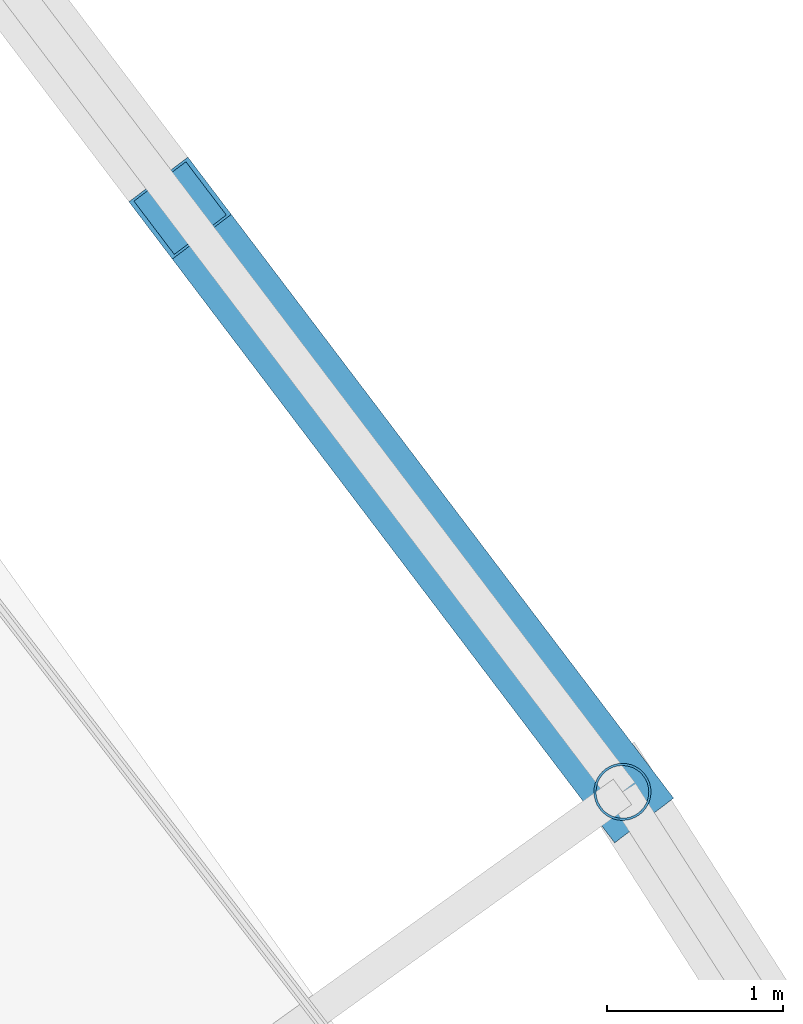
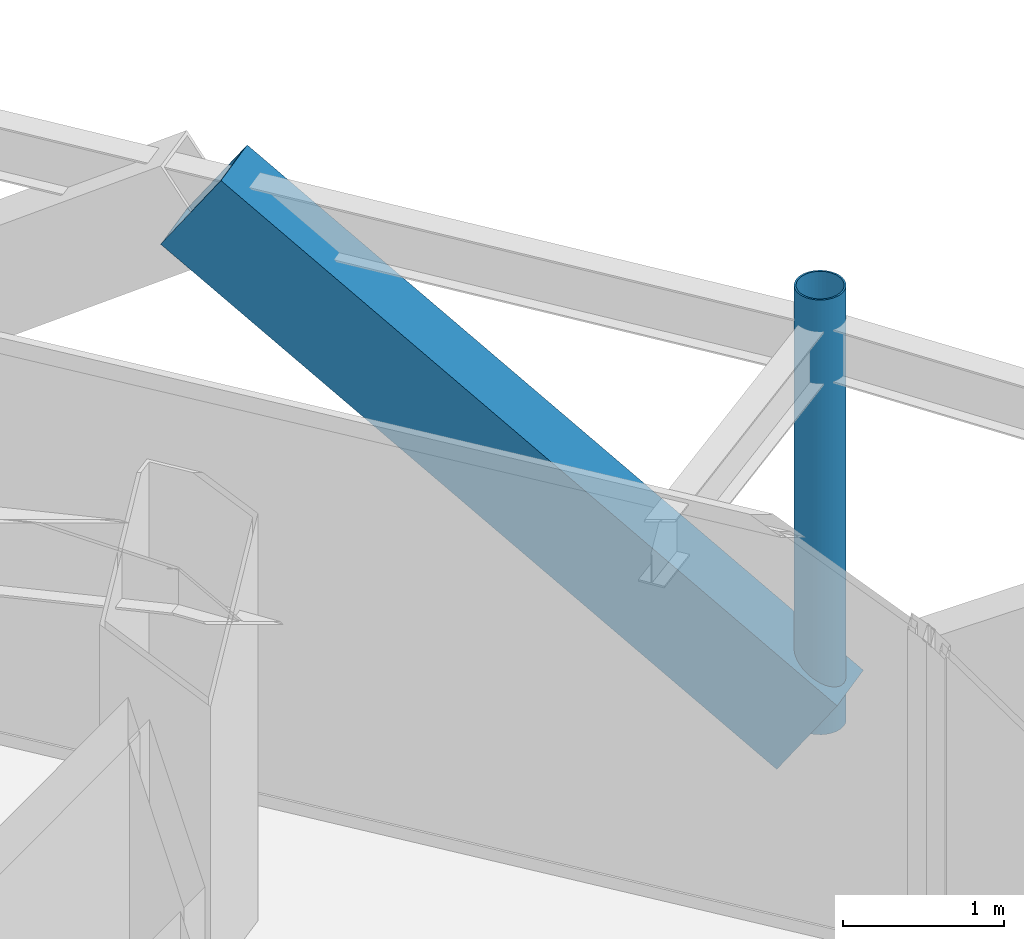
# One storey, part 25 of 30: 2 members.
"""IFC4 building model written with IfcOpenShell, lengths in metres."""

from ifc_helpers import new_model, si_unit, direction, frame, origin, origin_2d, place, context, subcontext, project, spatial, hollow_rectangle, hollow_circle, extrude, material, material_profile, profile_set, type_object, element, save


model = new_model("IFC4")

# Units and contexts
model_context = context("Model", 3, precision=1e-05, world=origin(), true_north=direction((0.0, 1.0)))
body_context = subcontext(model_context, "Body", "Model", "MODEL_VIEW")
ifc_project = project(units=[si_unit("LENGTHUNIT", "METRE"), si_unit("AREAUNIT", "SQUARE_METRE"), si_unit("VOLUMEUNIT", "CUBIC_METRE"), si_unit("PLANEANGLEUNIT", "RADIAN"), si_unit("MASSUNIT", "GRAM", prefix="KILO")], contexts=[model_context])

# Site, building, storey
site_placement = place(None, origin())
site = spatial("IfcSite", under=ifc_project, at=site_placement, CompositionType="ELEMENT")
building_placement = place(site_placement, origin())
building = spatial("IfcBuilding", under=site, at=building_placement, Name="Orvanel Arch Residences", CompositionType="ELEMENT")
storey_placement = place(building_placement, frame((0.0, 0.0, 240.35009765625)))
storey = spatial("IfcBuildingStorey", under=building, at=storey_placement, Name="L68", CompositionType="ELEMENT", Elevation=240.35009765625)

# Members
ifc_material_1 = material(Name="Structural steel AS/NZS 3678 Grade 350", Category="steel")
ifc_material_profile_1 = material_profile(ifc_material_1, hollow_rectangle(XDim=0.419921875, YDim=0.719970703125, WallThickness=0.02490234375, at=origin_2d()), Name="RHS720x420x25")
ifc_profile_set_1 = profile_set([ifc_material_profile_1], Name="Structural steel AS/NZS 3678 Grade 350")
member_type_1 = type_object("IfcMemberType", Name="BR-720RHS-EXT", PredefinedType="BRACE", material=ifc_profile_set_1)
member_1_placement = place(storey_placement, frame((44.992919921875, 35.176025390625, 0.0), z_axis=(-0.497742643385, 0.656913820254, 0.566318367807), x_axis=(-0.797045040741, -0.603919864743, 0.0)))
element("IfcMember", 1, at=member_1_placement, inside=storey, type_object=member_type_1, Name="L68 Exterior Sky-Garden V-Frame Chevron F3B3.1", PredefinedType="BRACE", context=body_context, shape_type="SweptSolid", body=[
    extrude(hollow_rectangle(XDim=0.419921875, YDim=0.719970703125, WallThickness=0.02490234375, at=origin_2d()), origin(), (0.0, 0.0, 1.0), 5.044677734375),
])
ifc_material_2 = material(Name="Structural steel AS/NZS 1163 C350L0 (Grade 350)", Category="steel")
ifc_material_profile_2 = material_profile(ifc_material_2, hollow_circle(Radius=0.162109375, WallThickness=0.0126953125, at=origin_2d()), Name="CHS324x12.7")
ifc_profile_set_2 = profile_set([ifc_material_profile_2], Name="Structural steel AS/NZS 1163 C350L0 (Grade 350)")
member_type_2 = type_object("IfcMemberType", Name="ST-324CHS-EXT", PredefinedType="STRUT", material=ifc_profile_set_2)
member_2_placement = place(storey_placement, frame((44.992919921875, 35.176025390625, 0.0), z_axis=(0.0, 0.0, 1.0), x_axis=(1.0, 0.0, 0.0)))
element("IfcMember", 2, at=member_2_placement, inside=storey, type_object=member_type_2, Name="L68 Outer Perimeter Frame Post 11", PredefinedType="STRUT", context=body_context, shape_type="SweptSolid", body=[
    extrude(hollow_circle(Radius=0.162109375, WallThickness=0.0126953125, at=origin_2d()), origin(), (0.0, 0.0, 1.0), 3.2998046875),
])

save(model, "model.ifc")
